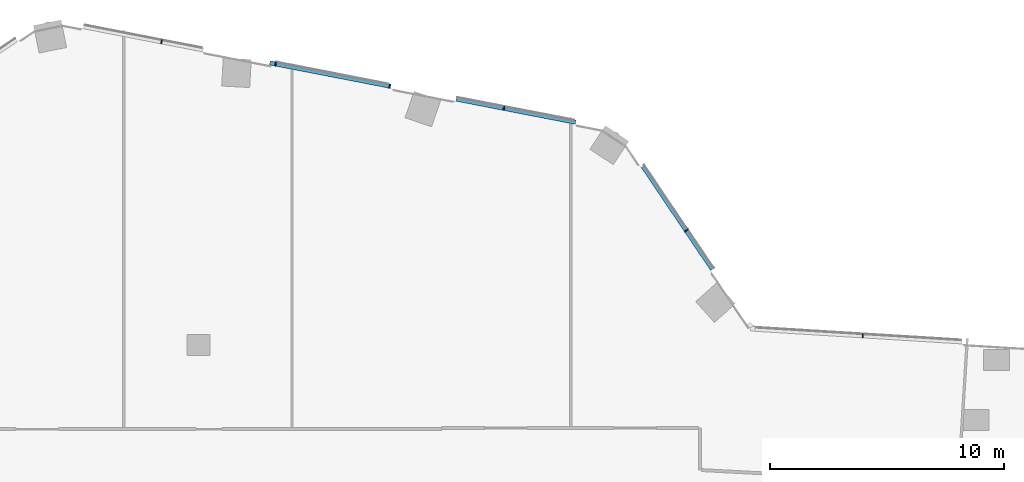
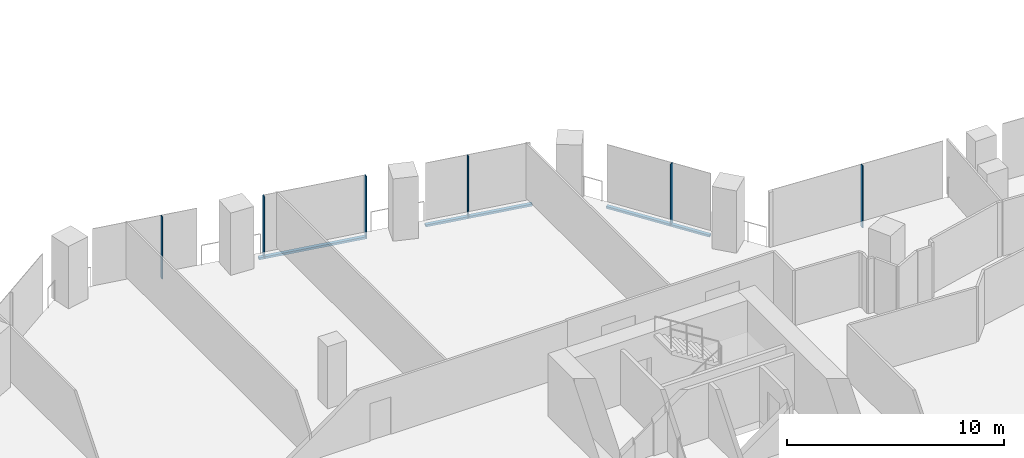
# One storey, part 11 of 34: 9 members, 3 elements without a shape of their own.
"""IFC4 building model written with IfcOpenShell, lengths in metres."""

import ifcopenshell
import ifcopenshell.guid

model = None  # the IFC model being written
_history = None  # IfcOwnerHistory: only IFC2X3 demands one
_inside = {}  # id of a spatial element -> (the spatial element, [elements in it])
_under = {}  # id of a project, library or spatial element -> (it, [spatial elements below it])
_declared = {}  # id of a project -> (the project, [libraries it declares])
_typed = {}  # id of a type object -> (the type object, [elements of that type])
_made_of = {}  # id of a material, layer set ... -> (it, [elements and type objects made of it])


def new_model(schema):
    """Start an empty IFC model of exactly this schema.

    Asked for "IFC4X3", IfcOpenShell would pick the latest addendum, in which some entities
    have other attributes; the version numbers below select the first issue.
    IFC2X3 requires an IfcOwnerHistory on every rooted entity: one is made here for all.
    """
    global model, _history
    if schema == "IFC4X3":
        model = ifcopenshell.file(schema_version=(4, 3, 0, 0))
    else:
        model = ifcopenshell.file(schema=schema)
    _inside.clear()
    _under.clear()
    _declared.clear()
    _typed.clear()
    _made_of.clear()
    _history = None
    if model.schema == "IFC2X3":
        org = make("IfcOrganization", Name="unknown")
        user = make(
            "IfcPersonAndOrganization",
            ThePerson=make("IfcPerson", FamilyName="unknown"),
            TheOrganization=org,
        )
        app = make(
            "IfcApplication",
            ApplicationDeveloper=org,
            Version="unknown",
            ApplicationFullName="unknown",
            ApplicationIdentifier="unknown",
        )
        _history = make(
            "IfcOwnerHistory",
            OwningUser=user,
            OwningApplication=app,
            ChangeAction="ADDED",
            CreationDate=0,
        )
    return model


def make(cls, **values):
    """One entity of the class cls with the attributes given. An attribute that is None is left unset."""
    return model.create_entity(
        cls, **{name: value for name, value in values.items() if value is not None}
    )


def rooted(cls, **values):
    """An entity with a GlobalId (a new one), such as an element, a storey or a relation."""
    return make(cls, GlobalId=ifcopenshell.guid.new(), OwnerHistory=_history, **values)


def si_unit(unit_type, name, prefix=None):
    """IfcSIUnit, for example si_unit("LENGTHUNIT", "METRE", prefix="MILLI")."""
    return make("IfcSIUnit", UnitType=unit_type, Prefix=prefix, Name=name)


def assignment(units):
    """IfcUnitAssignment: the units of a project."""
    return None if units is None else make("IfcUnitAssignment", Units=units)


def point(xyz):
    """IfcCartesianPoint."""
    return None if xyz is None else make("IfcCartesianPoint", Coordinates=xyz)


def direction(xyz):
    """IfcDirection."""
    return None if xyz is None else make("IfcDirection", DirectionRatios=xyz)


def frame(location, z_axis=None, x_axis=None):
    """IfcAxis2Placement3D, a coordinate frame: its origin and axes. An axis left out is left unset."""
    return make(
        "IfcAxis2Placement3D",
        Location=point(location),
        Axis=direction(z_axis),
        RefDirection=direction(x_axis),
    )


def frame_2d(location, x_axis=None):
    """IfcAxis2Placement2D, a coordinate frame in the plane: its origin and x axis."""
    return make(
        "IfcAxis2Placement2D", Location=point(location), RefDirection=direction(x_axis)
    )


def origin():
    """The frame at (0, 0, 0) with its axes left unset."""
    return frame((0.0, 0.0, 0.0))


def origin_2d():
    """The frame at (0, 0) in the plane with its x axis left unset."""
    return frame_2d((0.0, 0.0))


def place(relative_to, where):
    """IfcLocalPlacement: puts the frame where relative to a parent placement (None: the world)."""
    return make(
        "IfcLocalPlacement", PlacementRelTo=relative_to, RelativePlacement=where
    )


def context(
    kind, dimensions, precision=None, world=None, true_north=None, identifier=None
):
    """IfcGeometricRepresentationContext, for example the 3D "Model" context."""
    return make(
        "IfcGeometricRepresentationContext",
        ContextIdentifier=identifier,
        ContextType=kind,
        CoordinateSpaceDimension=dimensions,
        Precision=precision,
        WorldCoordinateSystem=world,
        TrueNorth=true_north,
    )


def subcontext(parent, identifier, kind, view, scale=None):
    """IfcGeometricRepresentationSubContext, for example "Body" below "Model"."""
    return make(
        "IfcGeometricRepresentationSubContext",
        ContextIdentifier=identifier,
        ContextType=kind,
        ParentContext=parent,
        TargetScale=scale,
        TargetView=view,
    )


def project(units=None, contexts=None):
    """IfcProject with its units and contexts."""
    return rooted(
        "IfcProject",
        Name="project",
        RepresentationContexts=contexts,
        UnitsInContext=assignment(units),
    )


def spatial(cls, under=None, at=None, **own):
    """A site, building, storey or space (cls), placed at a placement, below another one or the project."""
    s = rooted(cls, ObjectPlacement=at, **own)
    if under is not None:
        _under.setdefault(under.id(), (under, []))[1].append(s)
    return s


def profile(cls, at=None, kind="AREA", **sizes):
    """A parametric profile (cls). Its sizes go by their IFC names, for example OverallWidth=200.0."""
    return make(cls, ProfileType=kind, Position=at, **sizes)


def rectangle(**sizes):
    """IfcRectangleProfileDef."""
    return profile("IfcRectangleProfileDef", **sizes)


def extrude(swept, where, along, depth):
    """IfcExtrudedAreaSolid: the profile swept, set in the frame where, extruded along a direction by depth."""
    return make(
        "IfcExtrudedAreaSolid",
        SweptArea=swept,
        Position=where,
        ExtrudedDirection=direction(along),
        Depth=depth,
    )


def shape(context_of_items, identifier, shape_type, items):
    """IfcShapeRepresentation: the items that make up one representation, for example the "Body"."""
    return make(
        "IfcShapeRepresentation",
        ContextOfItems=context_of_items,
        RepresentationIdentifier=identifier,
        RepresentationType=shape_type,
        Items=items,
    )


def material(Name=None, Category=None):
    """IfcMaterial."""
    return make("IfcMaterial", Name=Name, Category=Category)


def material_profile(
    of_material, cross_section, Name=None, Category=None, Priority=None
):
    """IfcMaterialProfile: a cross section and its material."""
    return make(
        "IfcMaterialProfile",
        Name=Name,
        Material=of_material,
        Profile=cross_section,
        Priority=Priority,
        Category=Category,
    )


def profile_set(profiles, Name=None, composite=None):
    """IfcMaterialProfileSet."""
    return make(
        "IfcMaterialProfileSet",
        Name=Name,
        MaterialProfiles=profiles,
        CompositeProfile=composite,
    )


def made_of(thing, what):
    """Note that an element or type object is made of a material, layer set ...; save() writes the relation."""
    if what is not None:
        _made_of.setdefault(what.id(), (what, []))[1].append(thing)
    return thing


def type_object(cls, material=None, **own):
    """A type object (cls), such as IfcWallType, which elements share."""
    return made_of(rooted(cls, **own), material)


def element(
    cls,
    number,
    at=None,
    inside=None,
    cuts=None,
    type_object=None,
    material=None,
    context=None,
    identifier="Body",
    shape_type=None,
    held_by="IfcProductDefinitionShape",
    body=None,
    shapes=None,
    **own,
):
    """One element of the class cls, such as IfcWall. Its Tag is "e" and its number.

    at: its placement. inside: the storey or other place that contains it. cuts: it is an
    opening in that element (IfcRelVoidsElement). A single representation is given by context,
    identifier, shape_type and body (its items); several are given by shapes. held_by: the class
    of the entity that holds the representations. save() writes the other relations.
    """
    e = rooted(cls, Tag="e%d" % number, ObjectPlacement=at, **own)
    if body is not None:
        shapes = [shape(context, identifier, shape_type, body)]
    if shapes is not None:
        e.Representation = make(held_by, Representations=shapes)
    if inside is not None:
        _inside.setdefault(inside.id(), (inside, []))[1].append(e)
    if cuts is not None:
        rooted(
            "IfcRelVoidsElement", RelatingBuildingElement=cuts, RelatedOpeningElement=e
        )
    if type_object is not None:
        _typed.setdefault(type_object.id(), (type_object, []))[1].append(e)
    return made_of(e, material)


def aggregate(whole, parts):
    """IfcRelAggregates: a whole, such as a stair, and the parts it consists of."""
    return rooted("IfcRelAggregates", RelatingObject=whole, RelatedObjects=parts)


def save(model, path):
    """Write the relations noted so far, then the file.

    IfcRelAggregates (storeys below a building ...), IfcRelContainedInSpatialStructure (elements
    in a storey), IfcRelDefinesByType, IfcRelAssociatesMaterial and IfcRelDeclares: one each for
    every whole, place, type object, material and project.
    """
    for whole, parts in _under.values():
        aggregate(whole, parts)
    for where, things in _inside.values():
        rooted(
            "IfcRelContainedInSpatialStructure",
            RelatedElements=things,
            RelatingStructure=where,
        )
    for kind, things in _typed.values():
        rooted("IfcRelDefinesByType", RelatedObjects=things, RelatingType=kind)
    for what, things in _made_of.values():
        rooted("IfcRelAssociatesMaterial", RelatedObjects=things, RelatingMaterial=what)
    for by, libraries in _declared.values():
        rooted("IfcRelDeclares", RelatingContext=by, RelatedDefinitions=libraries)
    model.write(path)


model = new_model("IFC4")

# Units and contexts
model_context = context("Model", 3, precision=1e-05, world=origin(), true_north=direction((0.0, 1.0)))
body_context = subcontext(model_context, "Body", "Model", "MODEL_VIEW")
ifc_project = project(units=[si_unit("LENGTHUNIT", "METRE"), si_unit("AREAUNIT", "SQUARE_METRE"), si_unit("VOLUMEUNIT", "CUBIC_METRE"), si_unit("PLANEANGLEUNIT", "RADIAN"), si_unit("MASSUNIT", "GRAM", prefix="KILO")], contexts=[model_context])

# Site, building, storey
site_placement = place(None, origin())
site = spatial("IfcSite", under=ifc_project, at=site_placement, CompositionType="ELEMENT")
building_placement = place(site_placement, origin())
building = spatial("IfcBuilding", under=site, at=building_placement, Name="Orlundy Tower", CompositionType="ELEMENT")
storey_placement = place(building_placement, frame((0.0, 0.0, 145.60009765625)))
storey = spatial("IfcBuildingStorey", under=building, at=storey_placement, Name="L37", CompositionType="ELEMENT", Elevation=145.60009765625)

# Curtain wall, members
ifc_material_1 = material(Name="Aluminium bronze anodised", Category="aluminium")
curtain_wall_type = type_object("IfcCurtainWallType", Name="CW1 wall", PredefinedType="NOTDEFINED", material=ifc_material_1)
curtain_wall_1_placement = place(storey_placement, origin())
curtain_wall_1 = element("IfcCurtainWall", 1, at=curtain_wall_1_placement, inside=storey, type_object=curtain_wall_type, Name="CW1 run 016", PredefinedType="NOTDEFINED")
ifc_material_2 = material(Name="Aluminium bronze anodised", Category="aluminium")
ifc_material_profile_1 = material_profile(ifc_material_2, rectangle(XDim=0.179931640625, YDim=0.050048828125, at=origin_2d()), Name="CW1 mullion 50x180")
ifc_profile_set_1 = profile_set([ifc_material_profile_1], Name="Aluminium bronze anodised")
member_type_1 = type_object("IfcMemberType", Name="CW1 mullion 50x180", PredefinedType="MULLION", material=ifc_profile_set_1)
member_1_placement = place(storey_placement, frame((-1.57763671875, 30.9599609375, -0.400146484375), z_axis=(0.0, 0.0, 1.0), x_axis=(0.19080503976, 0.981627952333, 0.0)))
member_1 = element("IfcMember", 2, at=member_1_placement, type_object=member_type_1, Name="CW1 mullion 45", PredefinedType="MULLION", context=body_context, shape_type="SweptSolid", body=[
    extrude(rectangle(XDim=0.179931640625, YDim=0.050048828125, at=origin_2d()), origin(), (0.0, 0.0, 1.0), 3.5),
])
member_2_placement = place(storey_placement, frame((3.301513671875, 30.011474609375, -0.400146484375), z_axis=(0.0, 0.0, 1.0), x_axis=(0.19080503976, 0.981627952333, 0.0)))
member_2 = element("IfcMember", 3, at=member_2_placement, type_object=member_type_1, Name="CW1 mullion 46", PredefinedType="MULLION", context=body_context, shape_type="SweptSolid", body=[
    extrude(rectangle(XDim=0.179931640625, YDim=0.050048828125, at=origin_2d()), origin(), (0.0, 0.0, 1.0), 3.5),
])
member_3_placement = place(storey_placement, frame((8.1806640625, 29.063232421875, -0.400146484375), z_axis=(0.0, 0.0, 1.0), x_axis=(0.19080503976, 0.981627952333, 0.0)))
member_3 = element("IfcMember", 4, at=member_3_placement, type_object=member_type_1, Name="CW1 mullion 47", PredefinedType="MULLION", context=body_context, shape_type="SweptSolid", body=[
    extrude(rectangle(XDim=0.179931640625, YDim=0.050048828125, at=origin_2d()), origin(), (0.0, 0.0, 1.0), 3.5),
])
member_4_placement = place(storey_placement, frame((13.06005859375, 28.11474609375, -0.400146484375), z_axis=(0.0, 0.0, 1.0), x_axis=(0.19080503976, 0.981627952333, 0.0)))
member_4 = element("IfcMember", 5, at=member_4_placement, type_object=member_type_1, Name="CW1 mullion 48", PredefinedType="MULLION", context=body_context, shape_type="SweptSolid", body=[
    extrude(rectangle(XDim=0.179931640625, YDim=0.050048828125, at=origin_2d()), origin(), (0.0, 0.0, 1.0), 3.5),
])

# Curtain wall, member
curtain_wall_2_placement = place(storey_placement, origin())
curtain_wall_2 = element("IfcCurtainWall", 6, at=curtain_wall_2_placement, inside=storey, type_object=curtain_wall_type, Name="CW1 run 017", PredefinedType="NOTDEFINED")
member_5_placement = place(storey_placement, frame((20.859130859375, 22.884765625, -0.400146484375), z_axis=(0.0, 0.0, 1.0), x_axis=(0.829017365471, 0.559222860538, 0.0)))
member_5 = element("IfcMember", 7, at=member_5_placement, type_object=member_type_1, Name="CW1 mullion 50", PredefinedType="MULLION", context=body_context, shape_type="SweptSolid", body=[
    extrude(rectangle(XDim=0.179931640625, YDim=0.050048828125, at=origin_2d()), origin(), (0.0, 0.0, 1.0), 3.5),
])

curtain_wall_3_placement = place(storey_placement, origin())
curtain_wall_3 = element("IfcCurtainWall", 8, at=curtain_wall_3_placement, inside=storey, type_object=curtain_wall_type, Name="CW1 run 018", PredefinedType="NOTDEFINED")
member_6_placement = place(storey_placement, frame((28.39892578125, 18.390380859375, -0.400146484375), z_axis=(0.0, 0.0, 1.0), x_axis=(0.061053768107, 0.998134478615, 0.0)))
member_6 = element("IfcMember", 9, at=member_6_placement, type_object=member_type_1, Name="CW1 mullion 52", PredefinedType="MULLION", context=body_context, shape_type="SweptSolid", body=[
    extrude(rectangle(XDim=0.179931640625, YDim=0.050048828125, at=origin_2d()), origin(), (0.0, 0.0, 1.0), 3.5),
])
aggregate(curtain_wall_3, [member_6])

# Member
ifc_material_3 = material(Name="Aluminium bronze anodised", Category="aluminium")
ifc_material_profile_2 = material_profile(ifc_material_3, rectangle(XDim=0.179931640625, YDim=0.1201171875, at=origin_2d()), Name="CW1 transom 180x120")
ifc_profile_set_2 = profile_set([ifc_material_profile_2], Name="Aluminium bronze anodised")
member_type_2 = type_object("IfcMemberType", Name="CW1 transom 180x120", PredefinedType="USERDEFINED", material=ifc_profile_set_2)
member_7_placement = place(storey_placement, frame((3.051513671875, 30.06005859375, -0.340087890625), z_axis=(0.981629283728, -0.190798190056, 0.0), x_axis=(0.190798190056, 0.981629283728, 0.0)))
member_7 = element("IfcMember", 10, at=member_7_placement, type_object=member_type_2, Name="CW1 transom", ObjectType="TRANSOM", PredefinedType="USERDEFINED", context=body_context, shape_type="SweptSolid", body=[
    extrude(rectangle(XDim=0.179931640625, YDim=0.1201171875, at=origin_2d()), origin(), (0.0, 0.0, 1.0), 5.211669921875),
])

member_8_placement = place(storey_placement, frame((11.020751953125, 28.51123046875, -0.340087890625), z_axis=(0.981621500476, -0.19083822941, 0.0), x_axis=(0.19083822941, 0.981621500476, 0.0)))
member_8 = element("IfcMember", 11, at=member_8_placement, type_object=member_type_2, Name="CW1 transom", ObjectType="TRANSOM", PredefinedType="USERDEFINED", context=body_context, shape_type="SweptSolid", body=[
    extrude(rectangle(XDim=0.179931640625, YDim=0.1201171875, at=origin_2d()), origin(), (0.0, 0.0, 1.0), 5.19775390625),
])

aggregate(curtain_wall_1, [member_1, member_2, member_3, member_4, member_7, member_8])

member_9_placement = place(storey_placement, frame((19.0048828125, 25.633544921875, -0.340087890625), z_axis=(0.559234293781, -0.829009652935, 0.0), x_axis=(0.829009652935, 0.559234293781, 0.0)))
member_9 = element("IfcMember", 12, at=member_9_placement, type_object=member_type_2, Name="CW1 transom", ObjectType="TRANSOM", PredefinedType="USERDEFINED", context=body_context, shape_type="SweptSolid", body=[
    extrude(rectangle(XDim=0.179931640625, YDim=0.1201171875, at=origin_2d()), origin(), (0.0, 0.0, 1.0), 5.30859375),
])

aggregate(curtain_wall_2, [member_5, member_9])

save(model, "model.ifc")
